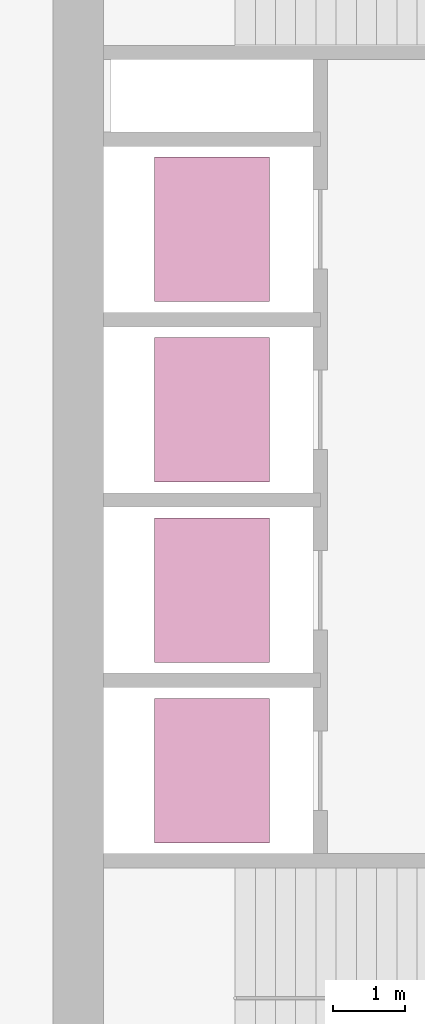
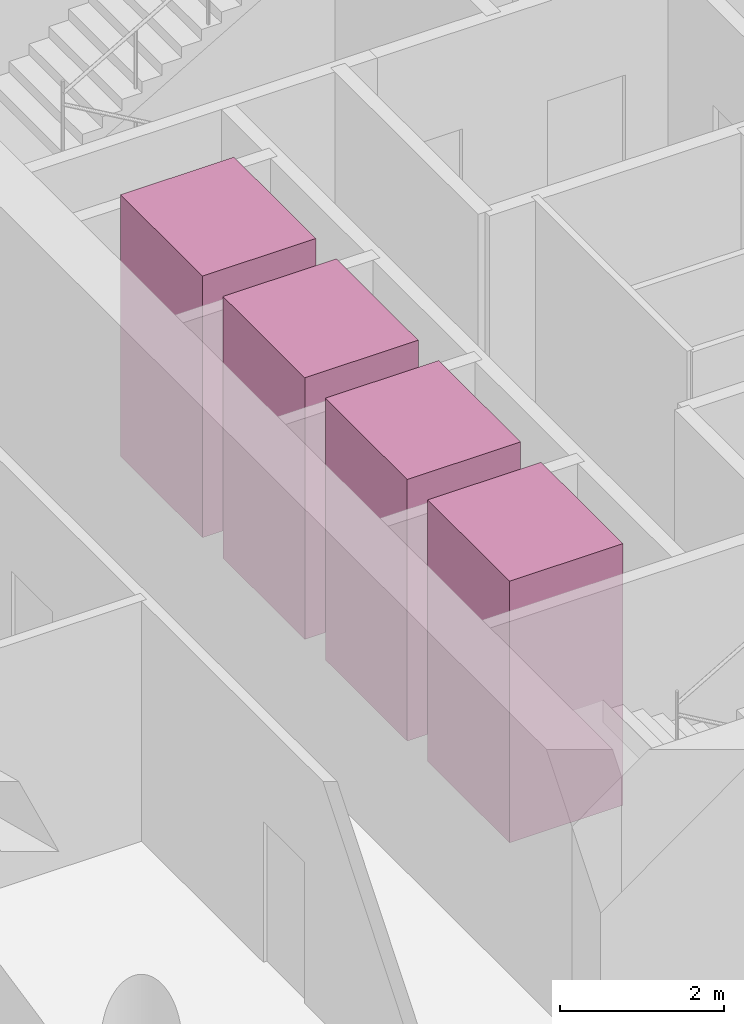
# One storey, part 10 of 10: 4 transport elements.
"""IFC4 building model written with IfcOpenShell, lengths in metres."""

import ifcopenshell
import ifcopenshell.guid

model = None  # the IFC model being written
_history = None  # IfcOwnerHistory: only IFC2X3 demands one
_inside = {}  # id of a spatial element -> (the spatial element, [elements in it])
_under = {}  # id of a project, library or spatial element -> (it, [spatial elements below it])
_declared = {}  # id of a project -> (the project, [libraries it declares])
_typed = {}  # id of a type object -> (the type object, [elements of that type])
_made_of = {}  # id of a material, layer set ... -> (it, [elements and type objects made of it])


def new_model(schema):
    """Start an empty IFC model of exactly this schema.

    Asked for "IFC4X3", IfcOpenShell would pick the latest addendum, in which some entities
    have other attributes; the version numbers below select the first issue.
    IFC2X3 requires an IfcOwnerHistory on every rooted entity: one is made here for all.
    """
    global model, _history
    if schema == "IFC4X3":
        model = ifcopenshell.file(schema_version=(4, 3, 0, 0))
    else:
        model = ifcopenshell.file(schema=schema)
    _inside.clear()
    _under.clear()
    _declared.clear()
    _typed.clear()
    _made_of.clear()
    _history = None
    if model.schema == "IFC2X3":
        org = make("IfcOrganization", Name="unknown")
        user = make(
            "IfcPersonAndOrganization",
            ThePerson=make("IfcPerson", FamilyName="unknown"),
            TheOrganization=org,
        )
        app = make(
            "IfcApplication",
            ApplicationDeveloper=org,
            Version="unknown",
            ApplicationFullName="unknown",
            ApplicationIdentifier="unknown",
        )
        _history = make(
            "IfcOwnerHistory",
            OwningUser=user,
            OwningApplication=app,
            ChangeAction="ADDED",
            CreationDate=0,
        )
    return model


def make(cls, **values):
    """One entity of the class cls with the attributes given. An attribute that is None is left unset."""
    return model.create_entity(
        cls, **{name: value for name, value in values.items() if value is not None}
    )


def rooted(cls, **values):
    """An entity with a GlobalId (a new one), such as an element, a storey or a relation."""
    return make(cls, GlobalId=ifcopenshell.guid.new(), OwnerHistory=_history, **values)


def si_unit(unit_type, name, prefix=None):
    """IfcSIUnit, for example si_unit("LENGTHUNIT", "METRE", prefix="MILLI")."""
    return make("IfcSIUnit", UnitType=unit_type, Prefix=prefix, Name=name)


def assignment(units):
    """IfcUnitAssignment: the units of a project."""
    return None if units is None else make("IfcUnitAssignment", Units=units)


def point(xyz):
    """IfcCartesianPoint."""
    return None if xyz is None else make("IfcCartesianPoint", Coordinates=xyz)


def direction(xyz):
    """IfcDirection."""
    return None if xyz is None else make("IfcDirection", DirectionRatios=xyz)


def frame(location, z_axis=None, x_axis=None):
    """IfcAxis2Placement3D, a coordinate frame: its origin and axes. An axis left out is left unset."""
    return make(
        "IfcAxis2Placement3D",
        Location=point(location),
        Axis=direction(z_axis),
        RefDirection=direction(x_axis),
    )


def frame_2d(location, x_axis=None):
    """IfcAxis2Placement2D, a coordinate frame in the plane: its origin and x axis."""
    return make(
        "IfcAxis2Placement2D", Location=point(location), RefDirection=direction(x_axis)
    )


def origin():
    """The frame at (0, 0, 0) with its axes left unset."""
    return frame((0.0, 0.0, 0.0))


def origin_2d():
    """The frame at (0, 0) in the plane with its x axis left unset."""
    return frame_2d((0.0, 0.0))


def place(relative_to, where):
    """IfcLocalPlacement: puts the frame where relative to a parent placement (None: the world)."""
    return make(
        "IfcLocalPlacement", PlacementRelTo=relative_to, RelativePlacement=where
    )


def context(
    kind, dimensions, precision=None, world=None, true_north=None, identifier=None
):
    """IfcGeometricRepresentationContext, for example the 3D "Model" context."""
    return make(
        "IfcGeometricRepresentationContext",
        ContextIdentifier=identifier,
        ContextType=kind,
        CoordinateSpaceDimension=dimensions,
        Precision=precision,
        WorldCoordinateSystem=world,
        TrueNorth=true_north,
    )


def subcontext(parent, identifier, kind, view, scale=None):
    """IfcGeometricRepresentationSubContext, for example "Body" below "Model"."""
    return make(
        "IfcGeometricRepresentationSubContext",
        ContextIdentifier=identifier,
        ContextType=kind,
        ParentContext=parent,
        TargetScale=scale,
        TargetView=view,
    )


def project(units=None, contexts=None):
    """IfcProject with its units and contexts."""
    return rooted(
        "IfcProject",
        Name="project",
        RepresentationContexts=contexts,
        UnitsInContext=assignment(units),
    )


def spatial(cls, under=None, at=None, **own):
    """A site, building, storey or space (cls), placed at a placement, below another one or the project."""
    s = rooted(cls, ObjectPlacement=at, **own)
    if under is not None:
        _under.setdefault(under.id(), (under, []))[1].append(s)
    return s


def profile(cls, at=None, kind="AREA", **sizes):
    """A parametric profile (cls). Its sizes go by their IFC names, for example OverallWidth=200.0."""
    return make(cls, ProfileType=kind, Position=at, **sizes)


def rectangle(**sizes):
    """IfcRectangleProfileDef."""
    return profile("IfcRectangleProfileDef", **sizes)


def extrude(swept, where, along, depth):
    """IfcExtrudedAreaSolid: the profile swept, set in the frame where, extruded along a direction by depth."""
    return make(
        "IfcExtrudedAreaSolid",
        SweptArea=swept,
        Position=where,
        ExtrudedDirection=direction(along),
        Depth=depth,
    )


def shape(context_of_items, identifier, shape_type, items):
    """IfcShapeRepresentation: the items that make up one representation, for example the "Body"."""
    return make(
        "IfcShapeRepresentation",
        ContextOfItems=context_of_items,
        RepresentationIdentifier=identifier,
        RepresentationType=shape_type,
        Items=items,
    )


def material(Name=None, Category=None):
    """IfcMaterial."""
    return make("IfcMaterial", Name=Name, Category=Category)


def made_of(thing, what):
    """Note that an element or type object is made of a material, layer set ...; save() writes the relation."""
    if what is not None:
        _made_of.setdefault(what.id(), (what, []))[1].append(thing)
    return thing


def type_object(cls, material=None, **own):
    """A type object (cls), such as IfcWallType, which elements share."""
    return made_of(rooted(cls, **own), material)


def element(
    cls,
    number,
    at=None,
    inside=None,
    cuts=None,
    type_object=None,
    material=None,
    context=None,
    identifier="Body",
    shape_type=None,
    held_by="IfcProductDefinitionShape",
    body=None,
    shapes=None,
    **own,
):
    """One element of the class cls, such as IfcWall. Its Tag is "e" and its number.

    at: its placement. inside: the storey or other place that contains it. cuts: it is an
    opening in that element (IfcRelVoidsElement). A single representation is given by context,
    identifier, shape_type and body (its items); several are given by shapes. held_by: the class
    of the entity that holds the representations. save() writes the other relations.
    """
    e = rooted(cls, Tag="e%d" % number, ObjectPlacement=at, **own)
    if body is not None:
        shapes = [shape(context, identifier, shape_type, body)]
    if shapes is not None:
        e.Representation = make(held_by, Representations=shapes)
    if inside is not None:
        _inside.setdefault(inside.id(), (inside, []))[1].append(e)
    if cuts is not None:
        rooted(
            "IfcRelVoidsElement", RelatingBuildingElement=cuts, RelatedOpeningElement=e
        )
    if type_object is not None:
        _typed.setdefault(type_object.id(), (type_object, []))[1].append(e)
    return made_of(e, material)


def aggregate(whole, parts):
    """IfcRelAggregates: a whole, such as a stair, and the parts it consists of."""
    return rooted("IfcRelAggregates", RelatingObject=whole, RelatedObjects=parts)


def save(model, path):
    """Write the relations noted so far, then the file.

    IfcRelAggregates (storeys below a building ...), IfcRelContainedInSpatialStructure (elements
    in a storey), IfcRelDefinesByType, IfcRelAssociatesMaterial and IfcRelDeclares: one each for
    every whole, place, type object, material and project.
    """
    for whole, parts in _under.values():
        aggregate(whole, parts)
    for where, things in _inside.values():
        rooted(
            "IfcRelContainedInSpatialStructure",
            RelatedElements=things,
            RelatingStructure=where,
        )
    for kind, things in _typed.values():
        rooted("IfcRelDefinesByType", RelatedObjects=things, RelatingType=kind)
    for what, things in _made_of.values():
        rooted("IfcRelAssociatesMaterial", RelatedObjects=things, RelatingMaterial=what)
    for by, libraries in _declared.values():
        rooted("IfcRelDeclares", RelatingContext=by, RelatedDefinitions=libraries)
    model.write(path)


model = new_model("IFC4")

# Units and contexts
model_context = context("Model", 3, precision=1e-05, world=origin(), true_north=direction((0.0, 1.0)))
body_context = subcontext(model_context, "Body", "Model", "MODEL_VIEW")
ifc_project = project(units=[si_unit("LENGTHUNIT", "METRE"), si_unit("AREAUNIT", "SQUARE_METRE"), si_unit("VOLUMEUNIT", "CUBIC_METRE"), si_unit("PLANEANGLEUNIT", "RADIAN"), si_unit("MASSUNIT", "GRAM", prefix="KILO")], contexts=[model_context])

# Site, building, storey
site_placement = place(None, origin())
site = spatial("IfcSite", under=ifc_project, at=site_placement, CompositionType="ELEMENT")
building_placement = place(site_placement, origin())
building = spatial("IfcBuilding", under=site, at=building_placement, Name="Qaws Garden Tower", CompositionType="ELEMENT")
storey_placement = place(building_placement, frame((0.0, 0.0, 209.699951171875)))
storey = spatial("IfcBuildingStorey", under=building, at=storey_placement, Name="L51", CompositionType="ELEMENT", Elevation=209.699951171875)

# Transport elements
ifc_material = material(Name="Stainless steel 316", Category="steel")
transport_element_type = type_object("IfcTransportElementType", Name="Passenger lift car 2000x1600 1800 kg", PredefinedType="ELEVATOR", material=ifc_material)
for number, where, z_axis, x_axis, name in (
    (1, (10.199951171875, 13.64990234375, 0.0), (0.0, 0.0, 1.0), (1.0, 0.0, 0.0), "MR1"),
    (2, (10.199951171875, 16.14990234375, 0.0), (0.0, 0.0, 1.0), (1.0, 0.0, 0.0), "MR2"),
    (3, (10.199951171875, 18.64990234375, 0.0), (0.0, 0.0, 1.0), (1.0, 0.0, 0.0), "MR3"),
    (4, (10.199951171875, 21.14990234375, 0.0), (0.0, 0.0, 1.0), (1.0, 0.0, 0.0), "MR4"),
):
    element("IfcTransportElement", number, at=place(storey_placement, frame(where, z_axis=z_axis, x_axis=x_axis)), inside=storey, type_object=transport_element_type, Name=name, PredefinedType="ELEVATOR", context=body_context, shape_type="SweptSolid", body=[
        extrude(rectangle(XDim=1.60009765625, YDim=2.0, at=origin_2d()), origin(), (0.0, 0.0, 1.0), 3.89990234375),
    ])

save(model, "model.ifc")
